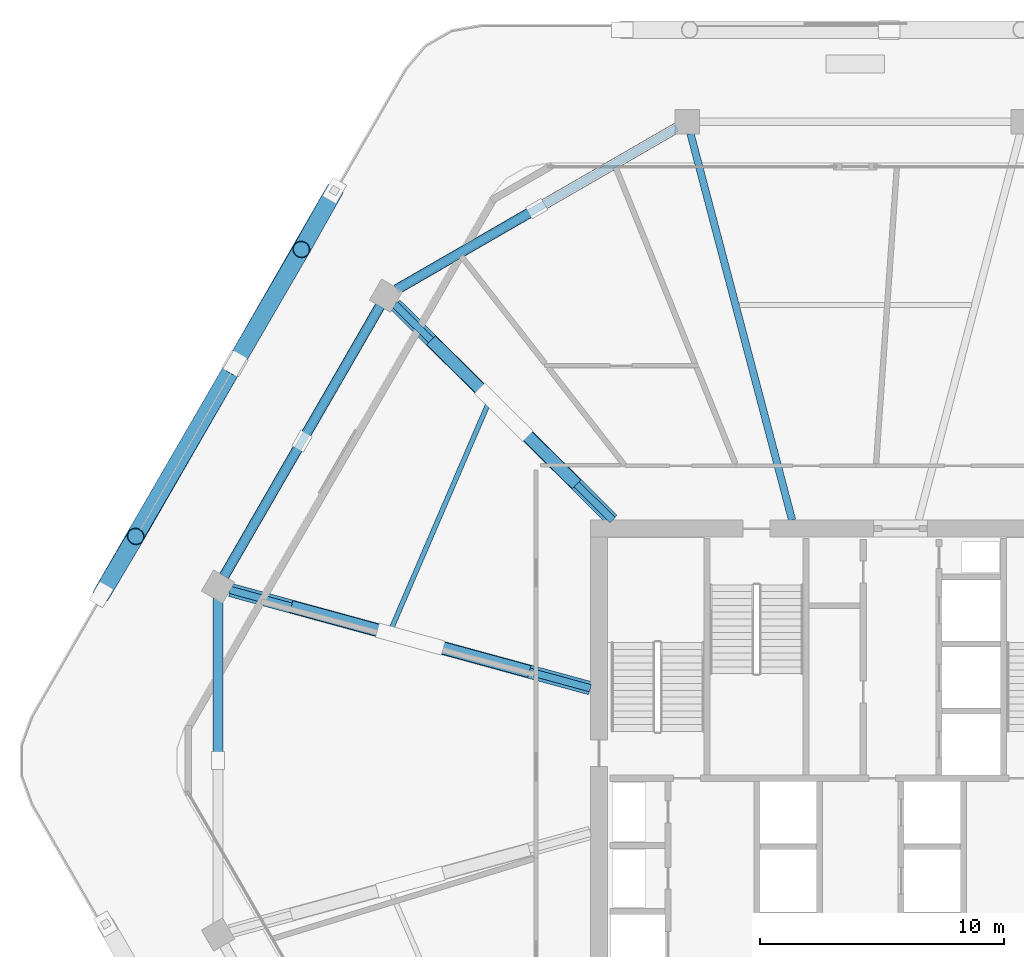
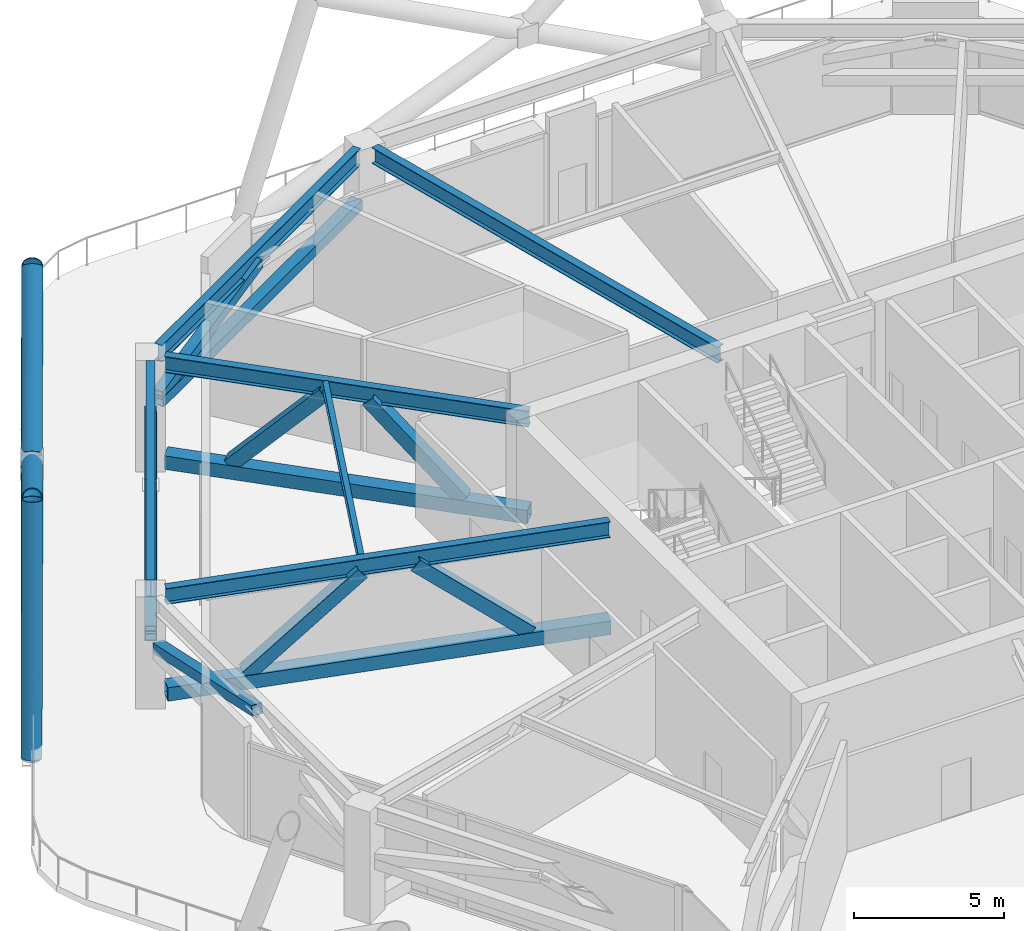
# One storey, part 7 of 20: 17 members, 6 beams.
"""IFC4 building model written with IfcOpenShell, lengths in metres."""

from ifc_helpers import new_model, si_unit, direction, frame, origin, origin_2d, place, context, subcontext, project, spatial, hollow_rectangle, hollow_circle, i_section, extrude, material, material_profile, profile_set, type_object, element, save


model = new_model("IFC4")

# Units and contexts
model_context = context("Model", 3, precision=1e-05, world=origin(), true_north=direction((0.0, 1.0)))
body_context = subcontext(model_context, "Body", "Model", "MODEL_VIEW")
ifc_project = project(units=[si_unit("LENGTHUNIT", "METRE"), si_unit("AREAUNIT", "SQUARE_METRE"), si_unit("VOLUMEUNIT", "CUBIC_METRE"), si_unit("PLANEANGLEUNIT", "RADIAN"), si_unit("MASSUNIT", "GRAM", prefix="KILO")], contexts=[model_context])

# Site, building, storey
site_placement = place(None, origin())
site = spatial("IfcSite", under=ifc_project, at=site_placement, CompositionType="ELEMENT")
building_placement = place(site_placement, origin())
building = spatial("IfcBuilding", under=site, at=building_placement, Name="Zuhravey Tower", CompositionType="ELEMENT")
storey_placement = place(building_placement, frame((0.0, 0.0, 145.60009765625)))
storey = spatial("IfcBuildingStorey", under=building, at=storey_placement, Name="L36", CompositionType="ELEMENT", Elevation=145.60009765625)

# Members
ifc_material_1 = material(Name="Steel SM355", Category="steel")
ifc_material_profile_1 = material_profile(ifc_material_1, hollow_rectangle(XDim=0.419921875, YDim=0.419921875, WallThickness=0.028076171875, at=origin_2d()), Name="RHS-420x420x28")
ifc_profile_set_1 = profile_set([ifc_material_profile_1], Name="Steel SM355")
member_type_1 = type_object("IfcMemberType", Name="Belt Truss Chord RHS420x420", PredefinedType="CHORD", material=ifc_profile_set_1)
member_1_placement = place(storey_placement, frame((28.6806640625, 57.920654296875, 2.27001953125), z_axis=(-0.866022260515, -0.500005444263, 0.0), x_axis=(0.500005444263, -0.866022260515, 0.0)))
element("IfcMember", 1, at=member_1_placement, inside=storey, type_object=member_type_1, Name="L36 Belt Truss Bottom Chord BTC1-03", PredefinedType="CHORD", context=body_context, shape_type="SweptSolid", body=[
    extrude(hollow_rectangle(XDim=0.419921875, YDim=0.419921875, WallThickness=0.028076171875, at=origin_2d()), origin(), (0.0, 0.0, 1.0), 13.242919921875),
])
member_2_placement = place(storey_placement, frame((16.52197265625, 50.609375, 2.27001953125), z_axis=(-0.499984807588, -0.86603417495, 0.0), x_axis=(0.86603417495, -0.499984807588, 0.0)))
element("IfcMember", 2, at=member_2_placement, inside=storey, type_object=member_type_1, Name="L36 Belt Truss Bottom Chord BTC1-04", PredefinedType="CHORD", context=body_context, shape_type="SweptSolid", body=[
    extrude(hollow_rectangle(XDim=0.419921875, YDim=0.419921875, WallThickness=0.028076171875, at=origin_2d()), origin(), (0.0, 0.0, 1.0), 12.75439453125),
])
ifc_material_profile_2 = material_profile(ifc_material_1, hollow_rectangle(XDim=0.39990234375, YDim=0.39990234375, WallThickness=0.02490234375, at=origin_2d()), Name="RHS-400x400x25")
ifc_profile_set_2 = profile_set([ifc_material_profile_2], Name="Steel SM355")
member_type_2 = type_object("IfcMemberType", Name="Belt Truss Diagonal RHS400x400", PredefinedType="BRACE", material=ifc_profile_set_2)
member_3_placement = place(storey_placement, frame((17.224609375, 51.306396484375, 2.4931640625), z_axis=(0.846240512643, 0.488593445156, 0.212493388395), x_axis=(-0.500012477951, 0.866018199516, 0.0)))
element("IfcMember", 3, at=member_3_placement, inside=storey, type_object=member_type_2, Name="L36 Belt Truss Diagonal BTD1-03.2", PredefinedType="BRACE", context=body_context, shape_type="SweptSolid", body=[
    extrude(hollow_rectangle(XDim=0.39990234375, YDim=0.39990234375, WallThickness=0.02490234375, at=origin_2d()), origin(), (0.0, 0.0, 1.0), 6.736083984375),
])
member_4_placement = place(storey_placement, frame((16.5146484375, 50.5966796875, 2.4931640625), z_axis=(-0.487705061621, -0.844766787399, 0.220256322899), x_axis=(0.866034845904, -0.499983645413, 0.0)))
element("IfcMember", 4, at=member_4_placement, inside=storey, type_object=member_type_2, Name="L36 Belt Truss Diagonal BTD1-04.1", PredefinedType="BRACE", context=body_context, shape_type="SweptSolid", body=[
    extrude(hollow_rectangle(XDim=0.39990234375, YDim=0.39990234375, WallThickness=0.02490234375, at=origin_2d()), origin(), (0.0, 0.0, 1.0), 6.49755859375),
])
member_5_placement = place(storey_placement, frame((10.152099609375, 39.576416015625, 2.4931640625), z_axis=(0.487733697304, 0.844751307024, 0.220252286696), x_axis=(-0.866018166656, 0.500012534865, 0.0)))
element("IfcMember", 5, at=member_5_placement, inside=storey, type_object=member_type_2, Name="L36 Belt Truss Diagonal BTD1-04.2", PredefinedType="BRACE", context=body_context, shape_type="SweptSolid", body=[
    extrude(hollow_rectangle(XDim=0.39990234375, YDim=0.39990234375, WallThickness=0.02490234375, at=origin_2d()), origin(), (0.0, 0.0, 1.0), 6.497802734375),
])
member_6_placement = place(storey_placement, frame((9.892333984375, 38.60693359375, 2.4931640625), z_axis=(0.0, -0.977163605411, 0.212488324995), x_axis=(1.0, 0.0, 0.0)))
element("IfcMember", 6, at=member_6_placement, inside=storey, type_object=member_type_2, Name="L36 Belt Truss Diagonal BTD1-05.1", PredefinedType="BRACE", context=body_context, shape_type="SweptSolid", body=[
    extrude(hollow_rectangle(XDim=0.39990234375, YDim=0.39990234375, WallThickness=0.02490234375, at=origin_2d()), origin(), (0.0, 0.0, 1.0), 6.736328125),
])
ifc_material_2 = material(Name="Steel SM460", Category="steel")
ifc_material_profile_3 = material_profile(ifc_material_2, hollow_circle(Radius=0.355712890625, WallThickness=0.031982421875, at=origin_2d()), Name="CHS-711.2x32")
ifc_profile_set_3 = profile_set([ifc_material_profile_3], Name="Steel SM460")
member_type_3 = type_object("IfcMemberType", Name="Exoskeleton Zone 2 Diagrid CHS711x32", PredefinedType="BRACE", material=ifc_profile_set_3)
member_7_placement = place(storey_placement, frame((14.660888671875, 55.345703125, -0.47412109375), z_axis=(-0.150143247355, -0.266653757917, 0.952025618701), x_axis=(0.871365298892, -0.490634809087, 0.0)))
element("IfcMember", 7, at=member_7_placement, inside=storey, type_object=member_type_3, Name="L36 Face 3 Diagrid Brace 1", PredefinedType="BRACE", context=body_context, shape_type="SweptSolid", body=[
    extrude(hollow_circle(Radius=0.355712890625, WallThickness=0.031982421875, at=origin_2d()), origin(), (0.0, 0.0, 1.0), 9.02294921875),
])
member_8_placement = place(storey_placement, frame((14.645263671875, 55.318603515625, -0.47412109375), z_axis=(-0.4406925079, -0.766548739453, 0.467111489395), x_axis=(0.866941986034, -0.498409061767, 0.0)))
element("IfcMember", 8, at=member_8_placement, inside=storey, type_object=member_type_3, Name="L36 Face 3 Diagrid Brace 2", PredefinedType="BRACE", context=body_context, shape_type="SweptSolid", body=[
    extrude(hollow_circle(Radius=0.355712890625, WallThickness=0.031982421875, at=origin_2d()), origin(), (0.0, 0.0, 1.0), 18.389892578125),
])
member_9_placement = place(storey_placement, frame((5.112548828125, 38.80712890625, -0.47412109375), z_axis=(0.155877916067, 0.263377128102, 0.952016052215), x_axis=(-0.860574310331, 0.50932490259, 0.0)))
element("IfcMember", 9, at=member_9_placement, inside=storey, type_object=member_type_3, Name="L36 Face 3 Diagrid Brace 4", PredefinedType="BRACE", context=body_context, shape_type="SweptSolid", body=[
    extrude(hollow_circle(Radius=0.355712890625, WallThickness=0.031982421875, at=origin_2d()), origin(), (0.0, 0.0, 1.0), 9.02294921875),
])
member_10_placement = place(storey_placement, frame((5.129150390625, 38.836181640625, -0.478271484375), z_axis=(0.466246337168, 0.805010652493, 0.366840840762), x_axis=(-0.865338859732, 0.50118724828, 0.0)))
element("IfcMember", 10, at=member_10_placement, inside=storey, type_object=member_type_3, Name="L36 Face 3 Split Diagrid Brace 3A", PredefinedType="BRACE", context=body_context, shape_type="SweptSolid", body=[
    extrude(hollow_circle(Radius=0.355712890625, WallThickness=0.031982421875, at=origin_2d()), origin(), (0.0, 0.0, 1.0), 11.373779296875),
])
member_11_placement = place(storey_placement, frame((10.728759765625, 48.503662109375, 4.03662109375), z_axis=(0.392326223592, 0.6751486406, 0.624703487566), x_axis=(-0.864619601167, 0.502427054683, 0.0)))
element("IfcMember", 11, at=member_11_placement, inside=storey, type_object=member_type_3, Name="L36 Face 3 Split Diagrid Brace 3B", PredefinedType="BRACE", context=body_context, shape_type="SweptSolid", body=[
    extrude(hollow_circle(Radius=0.355712890625, WallThickness=0.031982421875, at=origin_2d()), origin(), (0.0, 0.0, 1.0), 6.51904296875),
])
ifc_material_profile_4 = material_profile(ifc_material_2, hollow_rectangle(XDim=0.550048828125, YDim=0.550048828125, WallThickness=0.034912109375, at=origin_2d()), Name="RHS-550x550x35")
ifc_profile_set_4 = profile_set([ifc_material_profile_4], Name="Steel SM460")
member_type_4 = type_object("IfcMemberType", Name="Outrigger Truss Chord RHS550x550", PredefinedType="CHORD", material=ifc_profile_set_4)
member_12_placement = place(storey_placement, frame((26.05078125, 41.8564453125, 0.31982421875), z_axis=(-0.710400137377, 0.703798014216, 0.0), x_axis=(-0.703798014216, -0.710400137377, 0.0)))
element("IfcMember", 12, at=member_12_placement, inside=storey, type_object=member_type_4, Name="L36 Outrigger Bottom Chord OTC1-03", PredefinedType="CHORD", context=body_context, shape_type="SweptSolid", body=[
    extrude(hollow_rectangle(XDim=0.550048828125, YDim=0.550048828125, WallThickness=0.034912109375, at=origin_2d()), origin(), (0.0, 0.0, 1.0), 12.535888671875),
])
member_13_placement = place(storey_placement, frame((25.14208984375, 34.9638671875, 0.31982421875), z_axis=(-0.964705930293, 0.263329580674, 0.0), x_axis=(-0.263329580674, -0.964705930293, 0.0)))
element("IfcMember", 13, at=member_13_placement, inside=storey, type_object=member_type_4, Name="L36 Outrigger Bottom Chord OTC1-04", PredefinedType="CHORD", context=body_context, shape_type="SweptSolid", body=[
    extrude(hollow_rectangle(XDim=0.550048828125, YDim=0.550048828125, WallThickness=0.034912109375, at=origin_2d()), origin(), (0.0, 0.0, 1.0), 15.28564453125),
])
ifc_material_profile_5 = material_profile(ifc_material_2, hollow_rectangle(XDim=0.5, YDim=0.5, WallThickness=0.031982421875, at=origin_2d()), Name="RHS-500x500x32")
ifc_profile_set_5 = profile_set([ifc_material_profile_5], Name="Steel SM460")
member_type_5 = type_object("IfcMemberType", Name="Outrigger Truss Diagonal RHS500x500", PredefinedType="BRACE", material=ifc_profile_set_5)
for number, where, z_axis, x_axis, name in (
    (14, (24.447998046875, 43.444580078125, 0.559814453125), (-0.486365087696, 0.481852210459, 0.728880956498), (-0.703803299445, -0.710394901228, 0.0), "L36 Outrigger Diagonal OTD1-03.1"),
    (15, (18.748291015625, 49.091064453125, 0.559814453125), (0.486365087696, -0.481852210459, 0.728880956498), (0.703803299445, 0.710394901228, 0.0), "L36 Outrigger Diagonal OTD1-03.2"),
):
    element("IfcMember", number, at=place(storey_placement, frame(where, z_axis=z_axis, x_axis=x_axis)), inside=storey, type_object=member_type_5, Name=name, PredefinedType="BRACE", context=body_context, shape_type="SweptSolid", body=[
        extrude(hollow_rectangle(XDim=0.5, YDim=0.5, WallThickness=0.031982421875, at=origin_2d()), origin(), (0.0, 0.0, 1.0), 4.7607421875),
    ])
for number, where, z_axis, x_axis, name in (
    (16, (22.48779296875, 35.6884765625, 0.559814453125), (-0.72669851559, 0.198333535266, 0.65770287838), (-0.263294134222, -0.964715605183, 0.0), "L36 Outrigger Diagonal OTD1-04.1"),
    (17, (13.05029296875, 38.264404296875, 0.559814453125), (0.72669851559, -0.198333535266, 0.65770287838), (0.263294134222, 0.964715605183, 0.0), "L36 Outrigger Diagonal OTD1-04.2"),
):
    element("IfcMember", number, at=place(storey_placement, frame(where, z_axis=z_axis, x_axis=x_axis)), inside=storey, type_object=member_type_5, Name=name, PredefinedType="BRACE", context=body_context, shape_type="SweptSolid", body=[
        extrude(hollow_rectangle(XDim=0.5, YDim=0.5, WallThickness=0.031982421875, at=origin_2d()), origin(), (0.0, 0.0, 1.0), 5.27587890625),
    ])

# Beams
ifc_material_profile_6 = material_profile(ifc_material_1, i_section(OverallWidth=0.300048828125, OverallDepth=0.679931640625, WebThickness=0.012939453125, FlangeThickness=0.02197265625, at=origin_2d()), Name="H-680x300x13x22")
ifc_profile_set_6 = profile_set([ifc_material_profile_6], Name="Steel SM355")
beam_type_1 = type_object("IfcBeamType", Name="Perimeter Ring Beam H680x300", PredefinedType="BEAM", material=ifc_profile_set_6)
beam_1_placement = place(storey_placement, frame((28.682373046875, 57.921630859375, 4.2099609375), z_axis=(-0.866022923061, -0.500004296715, 0.0), x_axis=(0.500004296715, -0.866022923061, 0.0)))
element("IfcBeam", 18, at=beam_1_placement, inside=storey, type_object=beam_type_1, Name="L36 PB2 BM-L36-PB-04", PredefinedType="BEAM", context=body_context, shape_type="SweptSolid", body=[
    extrude(i_section(OverallWidth=0.300048828125, OverallDepth=0.679931640625, WebThickness=0.012939453125, FlangeThickness=0.02197265625, at=origin_2d()), origin(), (0.0, 0.0, 1.0), 13.2470703125),
])
beam_2_placement = place(storey_placement, frame((16.52294921875, 50.611083984375, 4.2099609375), z_axis=(-0.499997974489, -0.866026573211, 0.0), x_axis=(0.866026573211, -0.499997974489, 0.0)))
element("IfcBeam", 19, at=beam_2_placement, inside=storey, type_object=beam_type_1, Name="L36 PB2 BM-L36-PB-05", PredefinedType="BEAM", context=body_context, shape_type="SweptSolid", body=[
    extrude(i_section(OverallWidth=0.300048828125, OverallDepth=0.679931640625, WebThickness=0.012939453125, FlangeThickness=0.02197265625, at=origin_2d()), origin(), (0.0, 0.0, 1.0), 12.75830078125),
])
ifc_material_profile_7 = material_profile(ifc_material_1, i_section(OverallWidth=0.300048828125, OverallDepth=0.64990234375, WebThickness=0.012939453125, FlangeThickness=0.02197265625, at=origin_2d()), Name="H-650x300x13x22")
ifc_profile_set_7 = profile_set([ifc_material_profile_7], Name="Steel SM355")
beam_type_2 = type_object("IfcBeamType", Name="Radial Primary Girder H650x300", PredefinedType="BEAM", material=ifc_profile_set_7)
beam_3_placement = place(storey_placement, frame((33.4091796875, 41.85302734375, 4.224853515625), z_axis=(-0.254300244998, 0.967125320418, 0.0), x_axis=(-0.967125320418, -0.254300244998, 0.0)))
element("IfcBeam", 20, at=beam_3_placement, inside=storey, type_object=beam_type_2, Name="L36 RG2 BM-L36-RAD-04", PredefinedType="BEAM", context=body_context, shape_type="SweptSolid", body=[
    extrude(i_section(OverallWidth=0.300048828125, OverallDepth=0.64990234375, WebThickness=0.012939453125, FlangeThickness=0.02197265625, at=origin_2d()), origin(), (0.0, 0.0, 1.0), 16.371826171875),
])
beam_4_placement = place(storey_placement, frame((26.054443359375, 41.85302734375, 4.224853515625), z_axis=(-0.71040353357, 0.703794586148, 0.0), x_axis=(-0.703794586148, -0.71040353357, 0.0)))
element("IfcBeam", 21, at=beam_4_placement, inside=storey, type_object=beam_type_2, Name="L36 RG2 BM-L36-RAD-05", PredefinedType="BEAM", context=body_context, shape_type="SweptSolid", body=[
    extrude(i_section(OverallWidth=0.300048828125, OverallDepth=0.64990234375, WebThickness=0.012939453125, FlangeThickness=0.02197265625, at=origin_2d()), origin(), (0.0, 0.0, 1.0), 12.559814453125),
])
beam_5_placement = place(storey_placement, frame((25.14697265625, 34.96240234375, 4.224853515625), z_axis=(-0.964701601771, 0.263345437667, 0.0), x_axis=(-0.263345437667, -0.964701601771, 0.0)))
element("IfcBeam", 22, at=beam_5_placement, inside=storey, type_object=beam_type_2, Name="L36 RG2 BM-L36-RAD-06", PredefinedType="BEAM", context=body_context, shape_type="SweptSolid", body=[
    extrude(i_section(OverallWidth=0.300048828125, OverallDepth=0.64990234375, WebThickness=0.012939453125, FlangeThickness=0.02197265625, at=origin_2d()), origin(), (0.0, 0.0, 1.0), 15.309814453125),
])
ifc_material_profile_8 = material_profile(ifc_material_1, i_section(OverallWidth=0.199951171875, OverallDepth=0.39990234375, WebThickness=0.008056640625, FlangeThickness=0.012939453125, at=origin_2d()), Name="H-400x200x8x13")
ifc_profile_set_8 = profile_set([ifc_material_profile_8], Name="Steel SM355")
beam_type_3 = type_object("IfcBeamType", Name="Secondary Floor Joist H400x200", PredefinedType="JOIST", material=ifc_profile_set_8)
beam_6_placement = place(storey_placement, frame((20.982421875, 46.676025390625, 4.349853515625), z_axis=(-0.395265853487, -0.918566766799, 0.0), x_axis=(0.918566766799, -0.395265853487, 0.0)))
element("IfcBeam", 23, at=beam_6_placement, inside=storey, type_object=beam_type_3, Name="L36 SJ2 BM-L36-SJ-05-1", PredefinedType="JOIST", context=body_context, shape_type="SweptSolid", body=[
    extrude(i_section(OverallWidth=0.199951171875, OverallDepth=0.39990234375, WebThickness=0.008056640625, FlangeThickness=0.012939453125, at=origin_2d()), origin(), (0.0, 0.0, 1.0), 10.150146484375),
])

save(model, "model.ifc")
